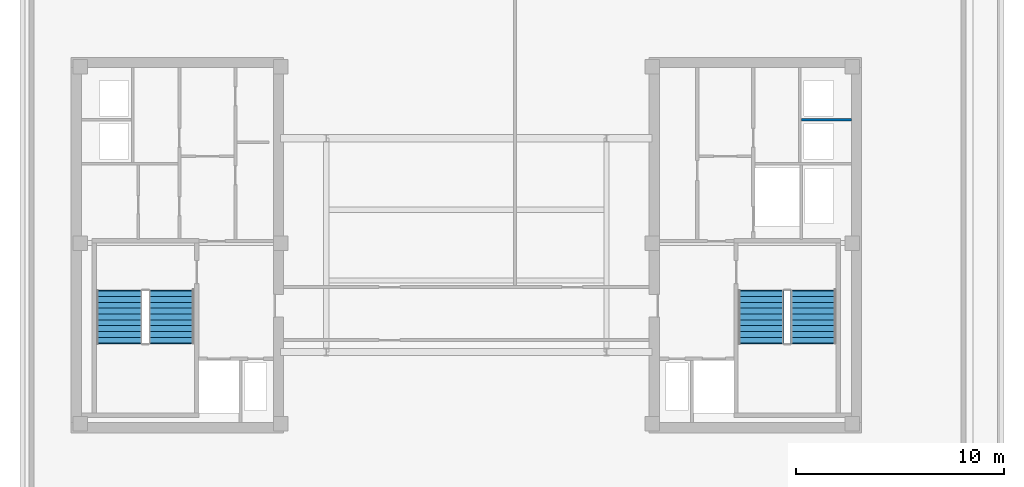
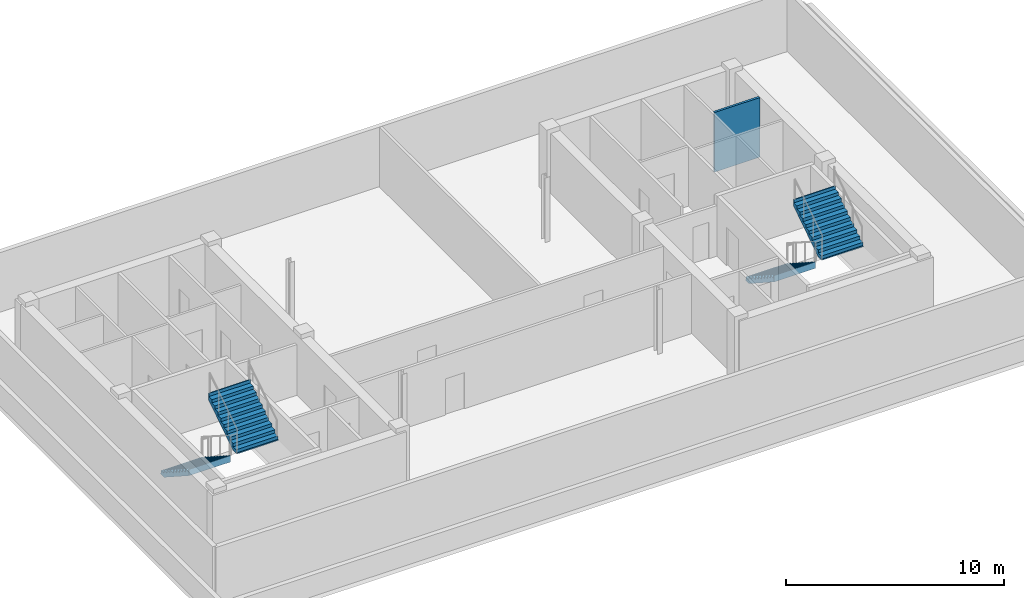
# One storey, part 4 of 7: 4 stair flights, 1 wall, 2 elements without a shape of their own.
"""IFC4 building model written with IfcOpenShell, lengths in metres."""

import ifcopenshell
import ifcopenshell.guid

model = None  # the IFC model being written
_history = None  # IfcOwnerHistory: only IFC2X3 demands one
_inside = {}  # id of a spatial element -> (the spatial element, [elements in it])
_under = {}  # id of a project, library or spatial element -> (it, [spatial elements below it])
_declared = {}  # id of a project -> (the project, [libraries it declares])
_typed = {}  # id of a type object -> (the type object, [elements of that type])
_made_of = {}  # id of a material, layer set ... -> (it, [elements and type objects made of it])


def new_model(schema):
    """Start an empty IFC model of exactly this schema.

    Asked for "IFC4X3", IfcOpenShell would pick the latest addendum, in which some entities
    have other attributes; the version numbers below select the first issue.
    IFC2X3 requires an IfcOwnerHistory on every rooted entity: one is made here for all.
    """
    global model, _history
    if schema == "IFC4X3":
        model = ifcopenshell.file(schema_version=(4, 3, 0, 0))
    else:
        model = ifcopenshell.file(schema=schema)
    _inside.clear()
    _under.clear()
    _declared.clear()
    _typed.clear()
    _made_of.clear()
    _history = None
    if model.schema == "IFC2X3":
        org = make("IfcOrganization", Name="unknown")
        user = make(
            "IfcPersonAndOrganization",
            ThePerson=make("IfcPerson", FamilyName="unknown"),
            TheOrganization=org,
        )
        app = make(
            "IfcApplication",
            ApplicationDeveloper=org,
            Version="unknown",
            ApplicationFullName="unknown",
            ApplicationIdentifier="unknown",
        )
        _history = make(
            "IfcOwnerHistory",
            OwningUser=user,
            OwningApplication=app,
            ChangeAction="ADDED",
            CreationDate=0,
        )
    return model


def make(cls, **values):
    """One entity of the class cls with the attributes given. An attribute that is None is left unset."""
    return model.create_entity(
        cls, **{name: value for name, value in values.items() if value is not None}
    )


def rooted(cls, **values):
    """An entity with a GlobalId (a new one), such as an element, a storey or a relation."""
    return make(cls, GlobalId=ifcopenshell.guid.new(), OwnerHistory=_history, **values)


def si_unit(unit_type, name, prefix=None):
    """IfcSIUnit, for example si_unit("LENGTHUNIT", "METRE", prefix="MILLI")."""
    return make("IfcSIUnit", UnitType=unit_type, Prefix=prefix, Name=name)


def assignment(units):
    """IfcUnitAssignment: the units of a project."""
    return None if units is None else make("IfcUnitAssignment", Units=units)


def point(xyz):
    """IfcCartesianPoint."""
    return None if xyz is None else make("IfcCartesianPoint", Coordinates=xyz)


def direction(xyz):
    """IfcDirection."""
    return None if xyz is None else make("IfcDirection", DirectionRatios=xyz)


def frame(location, z_axis=None, x_axis=None):
    """IfcAxis2Placement3D, a coordinate frame: its origin and axes. An axis left out is left unset."""
    return make(
        "IfcAxis2Placement3D",
        Location=point(location),
        Axis=direction(z_axis),
        RefDirection=direction(x_axis),
    )


def frame_2d(location, x_axis=None):
    """IfcAxis2Placement2D, a coordinate frame in the plane: its origin and x axis."""
    return make(
        "IfcAxis2Placement2D", Location=point(location), RefDirection=direction(x_axis)
    )


def origin():
    """The frame at (0, 0, 0) with its axes left unset."""
    return frame((0.0, 0.0, 0.0))


def place(relative_to, where):
    """IfcLocalPlacement: puts the frame where relative to a parent placement (None: the world)."""
    return make(
        "IfcLocalPlacement", PlacementRelTo=relative_to, RelativePlacement=where
    )


def context(
    kind, dimensions, precision=None, world=None, true_north=None, identifier=None
):
    """IfcGeometricRepresentationContext, for example the 3D "Model" context."""
    return make(
        "IfcGeometricRepresentationContext",
        ContextIdentifier=identifier,
        ContextType=kind,
        CoordinateSpaceDimension=dimensions,
        Precision=precision,
        WorldCoordinateSystem=world,
        TrueNorth=true_north,
    )


def subcontext(parent, identifier, kind, view, scale=None):
    """IfcGeometricRepresentationSubContext, for example "Body" below "Model"."""
    return make(
        "IfcGeometricRepresentationSubContext",
        ContextIdentifier=identifier,
        ContextType=kind,
        ParentContext=parent,
        TargetScale=scale,
        TargetView=view,
    )


def project(units=None, contexts=None):
    """IfcProject with its units and contexts."""
    return rooted(
        "IfcProject",
        Name="project",
        RepresentationContexts=contexts,
        UnitsInContext=assignment(units),
    )


def spatial(cls, under=None, at=None, **own):
    """A site, building, storey or space (cls), placed at a placement, below another one or the project."""
    s = rooted(cls, ObjectPlacement=at, **own)
    if under is not None:
        _under.setdefault(under.id(), (under, []))[1].append(s)
    return s


def polyline(points):
    """IfcPolyline through the points."""
    return make("IfcPolyline", Points=[point(p) for p in points])


def profile(cls, at=None, kind="AREA", **sizes):
    """A parametric profile (cls). Its sizes go by their IFC names, for example OverallWidth=200.0."""
    return make(cls, ProfileType=kind, Position=at, **sizes)


def rectangle(**sizes):
    """IfcRectangleProfileDef."""
    return profile("IfcRectangleProfileDef", **sizes)


def outline(outer, holes=None, kind="AREA"):
    """IfcArbitraryClosedProfileDef: a profile drawn as a closed curve; with holes, ...WithVoids."""
    if holes is None:
        return make("IfcArbitraryClosedProfileDef", ProfileType=kind, OuterCurve=outer)
    return make(
        "IfcArbitraryProfileDefWithVoids",
        ProfileType=kind,
        OuterCurve=outer,
        InnerCurves=holes,
    )


def extrude(swept, where, along, depth):
    """IfcExtrudedAreaSolid: the profile swept, set in the frame where, extruded along a direction by depth."""
    return make(
        "IfcExtrudedAreaSolid",
        SweptArea=swept,
        Position=where,
        ExtrudedDirection=direction(along),
        Depth=depth,
    )


def shape(context_of_items, identifier, shape_type, items):
    """IfcShapeRepresentation: the items that make up one representation, for example the "Body"."""
    return make(
        "IfcShapeRepresentation",
        ContextOfItems=context_of_items,
        RepresentationIdentifier=identifier,
        RepresentationType=shape_type,
        Items=items,
    )


def material(Name=None, Category=None):
    """IfcMaterial."""
    return make("IfcMaterial", Name=Name, Category=Category)


def layer(
    of_material, thickness, ventilated=None, Name=None, Category=None, Priority=None
):
    """IfcMaterialLayer: one layer of a wall or slab, of a material (None: an air gap)."""
    return make(
        "IfcMaterialLayer",
        Material=of_material,
        LayerThickness=thickness,
        IsVentilated=ventilated,
        Name=Name,
        Category=Category,
        Priority=Priority,
    )


def layer_set(layers, Name=None):
    """IfcMaterialLayerSet."""
    return make("IfcMaterialLayerSet", MaterialLayers=layers, LayerSetName=Name)


def made_of(thing, what):
    """Note that an element or type object is made of a material, layer set ...; save() writes the relation."""
    if what is not None:
        _made_of.setdefault(what.id(), (what, []))[1].append(thing)
    return thing


def type_object(cls, material=None, **own):
    """A type object (cls), such as IfcWallType, which elements share."""
    return made_of(rooted(cls, **own), material)


def element(
    cls,
    number,
    at=None,
    inside=None,
    cuts=None,
    type_object=None,
    material=None,
    context=None,
    identifier="Body",
    shape_type=None,
    held_by="IfcProductDefinitionShape",
    body=None,
    shapes=None,
    **own,
):
    """One element of the class cls, such as IfcWall. Its Tag is "e" and its number.

    at: its placement. inside: the storey or other place that contains it. cuts: it is an
    opening in that element (IfcRelVoidsElement). A single representation is given by context,
    identifier, shape_type and body (its items); several are given by shapes. held_by: the class
    of the entity that holds the representations. save() writes the other relations.
    """
    e = rooted(cls, Tag="e%d" % number, ObjectPlacement=at, **own)
    if body is not None:
        shapes = [shape(context, identifier, shape_type, body)]
    if shapes is not None:
        e.Representation = make(held_by, Representations=shapes)
    if inside is not None:
        _inside.setdefault(inside.id(), (inside, []))[1].append(e)
    if cuts is not None:
        rooted(
            "IfcRelVoidsElement", RelatingBuildingElement=cuts, RelatedOpeningElement=e
        )
    if type_object is not None:
        _typed.setdefault(type_object.id(), (type_object, []))[1].append(e)
    return made_of(e, material)


def aggregate(whole, parts):
    """IfcRelAggregates: a whole, such as a stair, and the parts it consists of."""
    return rooted("IfcRelAggregates", RelatingObject=whole, RelatedObjects=parts)


def save(model, path):
    """Write the relations noted so far, then the file.

    IfcRelAggregates (storeys below a building ...), IfcRelContainedInSpatialStructure (elements
    in a storey), IfcRelDefinesByType, IfcRelAssociatesMaterial and IfcRelDeclares: one each for
    every whole, place, type object, material and project.
    """
    for whole, parts in _under.values():
        aggregate(whole, parts)
    for where, things in _inside.values():
        rooted(
            "IfcRelContainedInSpatialStructure",
            RelatedElements=things,
            RelatingStructure=where,
        )
    for kind, things in _typed.values():
        rooted("IfcRelDefinesByType", RelatedObjects=things, RelatingType=kind)
    for what, things in _made_of.values():
        rooted("IfcRelAssociatesMaterial", RelatedObjects=things, RelatingMaterial=what)
    for by, libraries in _declared.values():
        rooted("IfcRelDeclares", RelatingContext=by, RelatedDefinitions=libraries)
    model.write(path)


model = new_model("IFC4")

# Units and contexts
model_context = context("Model", 3, precision=1e-05, world=origin(), true_north=direction((0.0, 1.0)))
body_context = subcontext(model_context, "Body", "Model", "MODEL_VIEW")
ifc_project = project(units=[si_unit("LENGTHUNIT", "METRE"), si_unit("AREAUNIT", "SQUARE_METRE"), si_unit("VOLUMEUNIT", "CUBIC_METRE"), si_unit("PLANEANGLEUNIT", "RADIAN"), si_unit("MASSUNIT", "GRAM", prefix="KILO")], contexts=[model_context])

# Site, building, storey
site_placement = place(None, origin())
site = spatial("IfcSite", under=ifc_project, at=site_placement, CompositionType="ELEMENT")
building_placement = place(site_placement, origin())
building = spatial("IfcBuilding", under=site, at=building_placement, Name="Velakula Bourse", CompositionType="ELEMENT")
storey_placement = place(building_placement, frame((0.0, 0.0, 294.14990234375)))
storey = spatial("IfcBuildingStorey", under=building, at=storey_placement, Name="L80", CompositionType="ELEMENT", Elevation=294.14990234375)

# Wall
ifc_material_1 = material(Name="Fire-rated double-layer gypsum drywall partition", Category="gypsum")
ifc_layer_1 = layer(ifc_material_1, 0.1201171875, Name="Fire-rated double-layer gypsum drywall partition", Category="gypsum")
ifc_layer_set_1 = layer_set([ifc_layer_1], Name="Fire-rated double-layer gypsum drywall partition")
wall_type = type_object("IfcWallType", Name="WL-PART-120", PredefinedType="STANDARD", material=ifc_layer_set_1)
wall_placement = place(storey_placement, frame((16.14990234375, 6.030029296875, 0.0), z_axis=(0.0, 0.0, 1.0), x_axis=(1.0, 0.0, 0.0)))
element("IfcWall", 1, at=wall_placement, inside=storey, type_object=wall_type, Name="L80 Interior Partition WL-CRE-L80-RIS-MID", PredefinedType="STANDARD", context=body_context, shape_type="SweptSolid", body=[
    extrude(rectangle(XDim=2.400146484375, YDim=0.1201171875, at=frame_2d((1.2001953125, 0.0))), origin(), (0.0, 0.0, 1.0), 3.330078125),
])

# Stair, stair flights
ifc_material_2 = material(Name="Concrete M45 (fck 45 MPa)", Category="concrete")
stair_type = type_object("IfcStairType", Name="STR-DOG-390", PredefinedType="HALF_TURN_STAIR", material=ifc_material_2)
stair_1_placement = place(storey_placement, origin())
stair_1 = element("IfcStair", 2, at=stair_1_placement, inside=storey, type_object=stair_type, Name="L80 West Core Exit Stair ST-W1", PredefinedType="HALF_TURN_STAIR")
ifc_layer_2 = layer(ifc_material_2, 0.195068359375, Name="Concrete M45 (fck 45 MPa)", Category="concrete")
ifc_layer_set_2 = layer_set([ifc_layer_2], Name="Concrete M45 (fck 45 MPa)")
stair_flight_type = type_object("IfcStairFlightType", Name="FLT-DOG-390", PredefinedType="STRAIGHT", material=ifc_layer_set_2)
stair_flight_1_placement = place(storey_placement, frame((-16.720947265625, -2.199951171875, 0.0), z_axis=(0.0, 0.0, 1.0), x_axis=(0.0, -1.0, 0.0)))
stair_flight_1 = element("IfcStairFlight", 3, at=stair_flight_1_placement, type_object=stair_flight_type, Name="ST-W1 flight 1", NumberOfRisers=10, NumberOfTreads=9, PredefinedType="STRAIGHT", RiserHeight=0.18, TreadLength=0.28, context=body_context, shape_type="SweptSolid", body=[
    extrude(outline(polyline([(-0.044921875, -0.0400390625), (-0.044921875, -0.036865234375), (-0.044921875, -0.033935546875), (-0.044921875, -0.03076171875), (-0.044921875, -0.027587890625), (-0.044921875, -0.024658203125), (-0.044921875, -0.021484375), (-0.044921875, -0.0185546875), (-0.044921875, -0.015380859375), (-0.044921875, -0.01220703125), (-0.044921875, -0.00927734375), (-0.044921875, -0.006103515625), (-0.044921875, -0.003173828125), (-0.044921875, 0.0), (0.0, 0.0), (0.0, 0.179931640625), (0.280029296875, 0.179931640625), (0.280029296875, 0.360107421875), (0.56005859375, 0.360107421875), (0.56005859375, 0.5400390625), (0.840087890625, 0.5400390625), (0.840087890625, 0.719970703125), (1.1201171875, 0.719970703125), (1.1201171875, 0.89990234375), (1.39990234375, 0.89990234375), (1.39990234375, 1.080078125), (1.679931640625, 1.080078125), (1.679931640625, 1.260009765625), (1.9599609375, 1.260009765625), (1.9599609375, 1.43994140625), (2.239990234375, 1.43994140625), (2.239990234375, 1.6201171875), (2.52001953125, 1.6201171875), (2.52001953125, 1.800048828125), (2.56494140625, 1.800048828125), (2.56494140625, 1.7744140625), (2.56494140625, 1.748779296875), (2.56494140625, 1.72314453125), (2.56494140625, 1.69775390625), (2.56494140625, 1.672119140625), (2.56494140625, 1.646484375), (2.56494140625, 1.620849609375), (2.56494140625, 1.59521484375), (2.56494140625, 1.56982421875), (2.56494140625, 1.544189453125), (2.56494140625, 1.5185546875), (2.56494140625, 1.492919921875), (2.56494140625, 1.46728515625), (2.56494140625, 1.44189453125), (0.277099609375, -0.0400390625), (-0.044921875, -0.0400390625)])), frame((0.0, 1.09912109375, 0.0), z_axis=(0.0, -1.0, 0.0), x_axis=(1.0, 0.0, 0.0)), (0.0, 0.0, 1.0), 2.197998046875),
])
stair_flight_2_placement = place(storey_placement, frame((-14.198974609375, -4.719970703125, 1.800048828125), z_axis=(0.0, 0.0, 1.0), x_axis=(0.0, 1.0, 0.0)))
stair_flight_2 = element("IfcStairFlight", 4, at=stair_flight_2_placement, type_object=stair_flight_type, Name="ST-W1 flight 2", NumberOfRisers=10, NumberOfTreads=9, PredefinedType="STRAIGHT", RiserHeight=0.18, TreadLength=0.28, context=body_context, shape_type="SweptSolid", body=[
    extrude(outline(polyline([(-0.044921875, -0.0400390625), (-0.044921875, -0.036865234375), (-0.044921875, -0.033935546875), (-0.044921875, -0.03076171875), (-0.044921875, -0.027587890625), (-0.044921875, -0.024658203125), (-0.044921875, -0.021484375), (-0.044921875, -0.0185546875), (-0.044921875, -0.015380859375), (-0.044921875, -0.01220703125), (-0.044921875, -0.00927734375), (-0.044921875, -0.006103515625), (-0.044921875, -0.003173828125), (-0.044921875, 0.0), (0.0, 0.0), (0.0, 0.179931640625), (0.280029296875, 0.179931640625), (0.280029296875, 0.360107421875), (0.56005859375, 0.360107421875), (0.56005859375, 0.5400390625), (0.840087890625, 0.5400390625), (0.840087890625, 0.719970703125), (1.1201171875, 0.719970703125), (1.1201171875, 0.89990234375), (1.39990234375, 0.89990234375), (1.39990234375, 1.080078125), (1.679931640625, 1.080078125), (1.679931640625, 1.260009765625), (1.9599609375, 1.260009765625), (1.9599609375, 1.43994140625), (2.239990234375, 1.43994140625), (2.239990234375, 1.6201171875), (2.52001953125, 1.6201171875), (2.52001953125, 1.800048828125), (2.56494140625, 1.800048828125), (2.56494140625, 1.7744140625), (2.56494140625, 1.748779296875), (2.56494140625, 1.72314453125), (2.56494140625, 1.69775390625), (2.56494140625, 1.672119140625), (2.56494140625, 1.646484375), (2.56494140625, 1.620849609375), (2.56494140625, 1.59521484375), (2.56494140625, 1.56982421875), (2.56494140625, 1.544189453125), (2.56494140625, 1.5185546875), (2.56494140625, 1.492919921875), (2.56494140625, 1.46728515625), (2.56494140625, 1.44189453125), (0.277099609375, -0.0400390625), (-0.044921875, -0.0400390625)])), frame((0.0, 1.09912109375, 0.0), z_axis=(0.0, -1.0, 0.0), x_axis=(1.0, 0.0, 0.0)), (0.0, 0.0, 1.0), 2.197998046875),
])
aggregate(stair_1, [stair_flight_1, stair_flight_2])

stair_2_placement = place(storey_placement, origin())
stair_2 = element("IfcStair", 5, at=stair_2_placement, inside=storey, type_object=stair_type, Name="L80 East Core Exit Stair ST-E1", PredefinedType="HALF_TURN_STAIR")
stair_flight_3_placement = place(storey_placement, frame((14.198974609375, -2.199951171875, 0.0), z_axis=(0.0, 0.0, 1.0), x_axis=(0.0, -1.0, 0.0)))
stair_flight_3 = element("IfcStairFlight", 6, at=stair_flight_3_placement, type_object=stair_flight_type, Name="ST-E1 flight 1", NumberOfRisers=10, NumberOfTreads=9, PredefinedType="STRAIGHT", RiserHeight=0.18, TreadLength=0.28, context=body_context, shape_type="SweptSolid", body=[
    extrude(outline(polyline([(-0.044921875, -0.0400390625), (-0.044921875, -0.036865234375), (-0.044921875, -0.033935546875), (-0.044921875, -0.03076171875), (-0.044921875, -0.027587890625), (-0.044921875, -0.024658203125), (-0.044921875, -0.021484375), (-0.044921875, -0.0185546875), (-0.044921875, -0.015380859375), (-0.044921875, -0.01220703125), (-0.044921875, -0.00927734375), (-0.044921875, -0.006103515625), (-0.044921875, -0.003173828125), (-0.044921875, 0.0), (0.0, 0.0), (0.0, 0.179931640625), (0.280029296875, 0.179931640625), (0.280029296875, 0.360107421875), (0.56005859375, 0.360107421875), (0.56005859375, 0.5400390625), (0.840087890625, 0.5400390625), (0.840087890625, 0.719970703125), (1.1201171875, 0.719970703125), (1.1201171875, 0.89990234375), (1.39990234375, 0.89990234375), (1.39990234375, 1.080078125), (1.679931640625, 1.080078125), (1.679931640625, 1.260009765625), (1.9599609375, 1.260009765625), (1.9599609375, 1.43994140625), (2.239990234375, 1.43994140625), (2.239990234375, 1.6201171875), (2.52001953125, 1.6201171875), (2.52001953125, 1.800048828125), (2.56494140625, 1.800048828125), (2.56494140625, 1.7744140625), (2.56494140625, 1.748779296875), (2.56494140625, 1.72314453125), (2.56494140625, 1.69775390625), (2.56494140625, 1.672119140625), (2.56494140625, 1.646484375), (2.56494140625, 1.620849609375), (2.56494140625, 1.59521484375), (2.56494140625, 1.56982421875), (2.56494140625, 1.544189453125), (2.56494140625, 1.5185546875), (2.56494140625, 1.492919921875), (2.56494140625, 1.46728515625), (2.56494140625, 1.44189453125), (0.277099609375, -0.0400390625), (-0.044921875, -0.0400390625)])), frame((0.0, 1.09912109375, 0.0), z_axis=(0.0, -1.0, 0.0), x_axis=(1.0, 0.0, 0.0)), (0.0, 0.0, 1.0), 2.197998046875),
])
stair_flight_4_placement = place(storey_placement, frame((16.720947265625, -4.719970703125, 1.800048828125), z_axis=(0.0, 0.0, 1.0), x_axis=(0.0, 1.0, 0.0)))
stair_flight_4 = element("IfcStairFlight", 7, at=stair_flight_4_placement, type_object=stair_flight_type, Name="ST-E1 flight 2", NumberOfRisers=10, NumberOfTreads=9, PredefinedType="STRAIGHT", RiserHeight=0.18, TreadLength=0.28, context=body_context, shape_type="SweptSolid", body=[
    extrude(outline(polyline([(-0.044921875, -0.0400390625), (-0.044921875, -0.036865234375), (-0.044921875, -0.033935546875), (-0.044921875, -0.03076171875), (-0.044921875, -0.027587890625), (-0.044921875, -0.024658203125), (-0.044921875, -0.021484375), (-0.044921875, -0.0185546875), (-0.044921875, -0.015380859375), (-0.044921875, -0.01220703125), (-0.044921875, -0.00927734375), (-0.044921875, -0.006103515625), (-0.044921875, -0.003173828125), (-0.044921875, 0.0), (0.0, 0.0), (0.0, 0.179931640625), (0.280029296875, 0.179931640625), (0.280029296875, 0.360107421875), (0.56005859375, 0.360107421875), (0.56005859375, 0.5400390625), (0.840087890625, 0.5400390625), (0.840087890625, 0.719970703125), (1.1201171875, 0.719970703125), (1.1201171875, 0.89990234375), (1.39990234375, 0.89990234375), (1.39990234375, 1.080078125), (1.679931640625, 1.080078125), (1.679931640625, 1.260009765625), (1.9599609375, 1.260009765625), (1.9599609375, 1.43994140625), (2.239990234375, 1.43994140625), (2.239990234375, 1.6201171875), (2.52001953125, 1.6201171875), (2.52001953125, 1.800048828125), (2.56494140625, 1.800048828125), (2.56494140625, 1.7744140625), (2.56494140625, 1.748779296875), (2.56494140625, 1.72314453125), (2.56494140625, 1.69775390625), (2.56494140625, 1.672119140625), (2.56494140625, 1.646484375), (2.56494140625, 1.620849609375), (2.56494140625, 1.59521484375), (2.56494140625, 1.56982421875), (2.56494140625, 1.544189453125), (2.56494140625, 1.5185546875), (2.56494140625, 1.492919921875), (2.56494140625, 1.46728515625), (2.56494140625, 1.44189453125), (0.277099609375, -0.0400390625), (-0.044921875, -0.0400390625)])), frame((0.0, 1.09912109375, 0.0), z_axis=(0.0, -1.0, 0.0), x_axis=(1.0, 0.0, 0.0)), (0.0, 0.0, 1.0), 2.197998046875),
])
aggregate(stair_2, [stair_flight_3, stair_flight_4])

save(model, "model.ifc")
